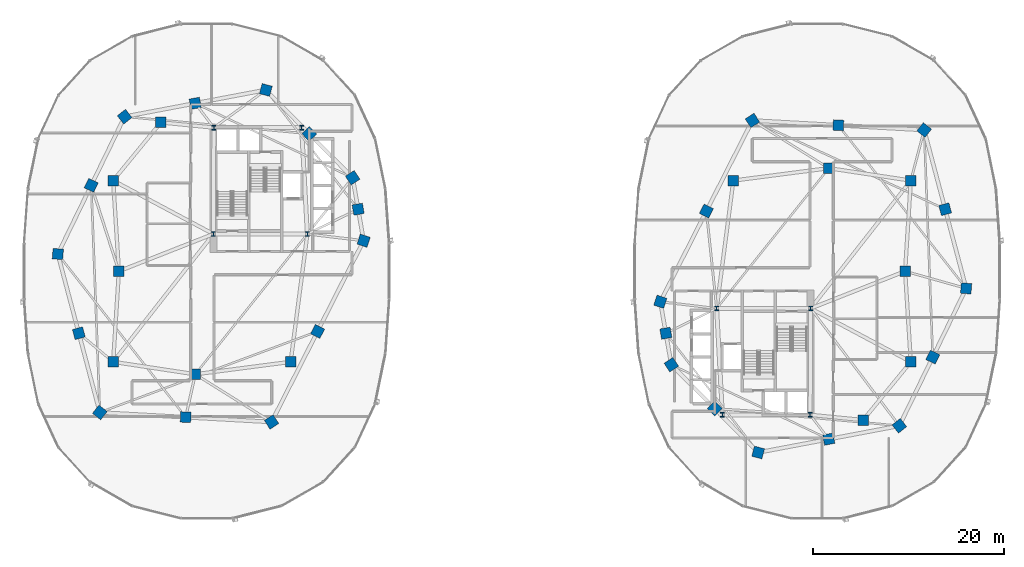
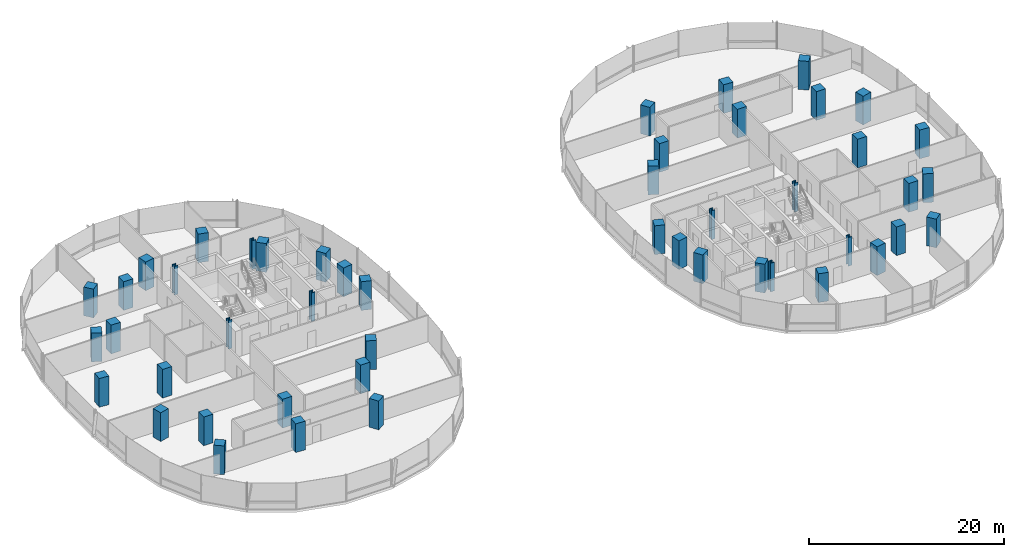
# One storey, part 1 of 21: 48 columns.
"""IFC4 building model written with IfcOpenShell, lengths in metres."""

from ifc_helpers import new_model, si_unit, direction, frame, origin, origin_2d, place, context, subcontext, project, spatial, rectangle, i_section, extrude, material, material_profile, profile_set, type_object, element, save


model = new_model("IFC4")

# Units and contexts
model_context = context("Model", 3, precision=1e-05, world=origin(), true_north=direction((0.0, 1.0)))
body_context = subcontext(model_context, "Body", "Model", "MODEL_VIEW")
ifc_project = project(units=[si_unit("LENGTHUNIT", "METRE"), si_unit("AREAUNIT", "SQUARE_METRE"), si_unit("VOLUMEUNIT", "CUBIC_METRE"), si_unit("PLANEANGLEUNIT", "RADIAN"), si_unit("MASSUNIT", "GRAM", prefix="KILO"), si_unit("THERMODYNAMICTEMPERATUREUNIT", "KELVIN"), si_unit("POWERUNIT", "WATT")], contexts=[model_context])

# Site, building, storey
site_placement = place(None, origin())
site = spatial("IfcSite", under=ifc_project, at=site_placement, CompositionType="ELEMENT")
building_placement = place(site_placement, origin())
building = spatial("IfcBuilding", under=site, at=building_placement, Name="Cundina Bronze Exchange", CompositionType="ELEMENT")
storey_placement = place(building_placement, frame((0.0, 0.0, 121.39990234375)))
storey = spatial("IfcBuildingStorey", under=building, at=storey_placement, Name="L31", CompositionType="ELEMENT", Elevation=121.39990234375)

# Columns
ifc_material_1 = material(Name="Steel ASTM A992 Grade 50", Category="steel")
ifc_material_profile_1 = material_profile(ifc_material_1, i_section(OverallWidth=0.431884765625, OverallDepth=0.498046875, WebThickness=0.0556640625, FlangeThickness=0.0888671875, FilletRadius=0.01806640625, at=origin_2d()), Name="W14X500", Category="steel")
ifc_profile_set_1 = profile_set([ifc_material_profile_1], Name="Steel ASTM A992 Grade 50")
column_type_1 = type_object("IfcColumnType", Name="COL-STL-W14A", PredefinedType="COLUMN", material=ifc_profile_set_1)
for number, where, z_axis, x_axis, name in (
    (1, (-31.300048828125, 3.89990234375, 0.0), (0.0, 0.0, 1.0), (1.0, 0.0, 0.0), "L31 Core Anchor Column W1"),
    (2, (-21.449951171875, 3.89990234375, 0.0), (0.0, 0.0, 1.0), (1.0, 0.0, 0.0), "L31 Core Anchor Column W2"),
    (3, (-22.050048828125, 15.050048828125, 0.0), (0.0, 0.0, 1.0), (1.0, 0.0, 0.0), "L31 Core Anchor Column W3"),
    (4, (-31.25, 15.050048828125, 0.0), (0.0, 0.0, 1.0), (1.0, 0.0, 0.0), "L31 Core Anchor Column W4"),
    (5, (31.300048828125, -3.89990234375, 0.0), (0.0, 0.0, 1.0), (1.0, 0.0, 0.0), "L31 Core Anchor Column E1"),
    (6, (21.449951171875, -3.89990234375, 0.0), (0.0, 0.0, 1.0), (1.0, 0.0, 0.0), "L31 Core Anchor Column E2"),
    (7, (22.050048828125, -15.050048828125, 0.0), (0.0, 0.0, 1.0), (1.0, 0.0, 0.0), "L31 Core Anchor Column E3"),
    (8, (31.25, -15.050048828125, 0.0), (0.0, 0.0, 1.0), (1.0, 0.0, 0.0), "L31 Core Anchor Column E4"),
):
    element("IfcColumn", number, at=place(storey_placement, frame(where, z_axis=z_axis, x_axis=x_axis)), inside=storey, type_object=column_type_1, Name=name, PredefinedType="COLUMN", context=body_context, shape_type="SweptSolid", body=[
        extrude(i_section(OverallWidth=0.431884765625, OverallDepth=0.498046875, WebThickness=0.0556640625, FlangeThickness=0.0888671875, FilletRadius=0.01806640625, at=origin_2d()), origin(), (0.0, 0.0, 1.0), 3.60009765625),
    ])
ifc_material_2 = material(Name="Concrete C60/75", Category="concrete")
ifc_material_profile_2 = material_profile(ifc_material_2, rectangle(XDim=1.10009765625, YDim=1.10009765625, at=origin_2d()), Name="RC1100X1100", Category="concrete")
ifc_profile_set_2 = profile_set([ifc_material_profile_2], Name="Concrete C60/75")
column_type_2 = type_object("IfcColumnType", Name="COL-Z2-1100", PredefinedType="COLUMN", material=ifc_profile_set_2)
for number, where, z_axis, x_axis, name in (
    (9, (-41.199951171875, 0.0, 0.0), (0.0, 0.0, 1.0), (1.0, 0.0, 0.0), "L31 W Inner Ring Column 1"),
    (10, (-41.800048828125, 9.5, 0.0), (0.0, 0.0, 1.0), (1.0, 0.0, 0.0), "L31 W Inner Ring Column 2"),
    (11, (-36.800048828125, 15.60009765625, 0.0), (0.0, 0.0, 1.0), (1.0, 0.0, 0.0), "L31 W Inner Ring Column 3"),
    (12, (-41.800048828125, -9.5, 0.0), (0.0, 0.0, 1.0), (1.0, 0.0, 0.0), "L31 W Inner Ring Column 4"),
    (13, (-33.199951171875, -10.800048828125, 0.0), (0.0, 0.0, 1.0), (1.0, 0.0, 0.0), "L31 W Inner Ring Column 5"),
    (14, (-23.199951171875, -9.5, 0.0), (0.0, 0.0, 1.0), (1.0, 0.0, 0.0), "L31 W Inner Ring Column 6"),
    (15, (41.199951171875, 0.0, 0.0), (0.0, 0.0, 1.0), (1.0, 0.0, 0.0), "L31 E Inner Ring Column 1"),
    (16, (41.800048828125, -9.5, 0.0), (0.0, 0.0, 1.0), (1.0, 0.0, 0.0), "L31 E Inner Ring Column 2"),
    (17, (36.800048828125, -15.60009765625, 0.0), (0.0, 0.0, 1.0), (1.0, 0.0, 0.0), "L31 E Inner Ring Column 3"),
    (18, (41.800048828125, 9.5, 0.0), (0.0, 0.0, 1.0), (1.0, 0.0, 0.0), "L31 E Inner Ring Column 4"),
    (19, (33.199951171875, 10.800048828125, 0.0), (0.0, 0.0, 1.0), (1.0, 0.0, 0.0), "L31 E Inner Ring Column 5"),
    (20, (23.199951171875, 9.5, 0.0), (0.0, 0.0, 1.0), (1.0, 0.0, 0.0), "L31 E Inner Ring Column 6"),
    (21, (-15.550048828125, 3.199951171875, 0.0), (0.0, 0.0, 1.0), (0.315152163383, 0.949041155016, 0.0), "L31 W Perimeter Column 00"),
    (22, (-16.125, 6.5, 0.0), (0.0, 0.0, 1.0), (-0.171585221787, 0.985169280715, 0.0), "L31 W Perimeter Column 01"),
    (23, (-16.699951171875, 9.800048828125, 0.0), (0.0, 0.0, 1.0), (-0.544199833495, 0.838955625301, 0.0), "L31 W Perimeter Column 02"),
    (24, (-21.25, 14.39990234375, 0.0), (0.0, 0.0, 1.0), (-0.703270634186, 0.710922228581, 0.0), "L31 W Perimeter Column 03"),
    (25, (-25.800048828125, 19.0, 0.0), (0.0, 0.0, 1.0), (-0.965970984022, 0.258650455301, 0.0), "L31 W Perimeter Column 04"),
    (26, (-33.199951171875, 17.60009765625, 0.0), (0.0, 0.0, 1.0), (-0.98258037664, -0.185838110843, 0.0), "L31 W Perimeter Column 05"),
    (27, (-40.60009765625, 16.199951171875, 0.0), (0.0, 0.0, 1.0), (-0.785100778485, -0.619368038909, 0.0), "L31 W Perimeter Column 06"),
    (28, (-44.10009765625, 9.0, 0.0), (0.0, 0.0, 1.0), (-0.437115766651, -0.899405251566, 0.0), "L31 W Perimeter Column 07"),
    (29, (-47.60009765625, 1.800048828125, 0.0), (0.0, 0.0, 1.0), (-0.083503921245, -0.996507448611, 0.0), "L31 W Perimeter Column 08"),
    (30, (-45.39990234375, -6.5, 0.0), (0.0, 0.0, 1.0), (0.256289373133, -0.966600102017, 0.0), "L31 W Perimeter Column 09"),
    (31, (-43.199951171875, -14.800048828125, 0.0), (0.0, 0.0, 1.0), (0.786288432137, -0.61785961309, 0.0), "L31 W Perimeter Column 10"),
    (32, (-34.199951171875, -15.300048828125, 0.0), (0.0, 0.0, 1.0), (0.998460188734, -0.055472980025, 0.0), "L31 W Perimeter Column 11"),
    (33, (-25.199951171875, -15.800048828125, 0.0), (0.0, 0.0, 1.0), (0.838099763533, 0.545516989988, 0.0), "L31 W Perimeter Column 12"),
    (34, (-20.375, -6.300048828125, 0.0), (0.0, 0.0, 1.0), (0.452901591366, 0.891560513111, 0.0), "L31 W Perimeter Column 13"),
    (35, (15.550048828125, -3.199951171875, 0.0), (0.0, 0.0, 1.0), (-0.315152163383, -0.949041155016, 0.0), "L31 E Perimeter Column 00"),
    (36, (16.125, -6.5, 0.0), (0.0, 0.0, 1.0), (0.171585221787, -0.985169280715, 0.0), "L31 E Perimeter Column 01"),
    (37, (16.699951171875, -9.800048828125, 0.0), (0.0, 0.0, 1.0), (0.544199833495, -0.838955625301, 0.0), "L31 E Perimeter Column 02"),
    (38, (21.25, -14.39990234375, 0.0), (0.0, 0.0, 1.0), (0.703270634186, -0.710922228581, 0.0), "L31 E Perimeter Column 03"),
    (39, (25.800048828125, -19.0, 0.0), (0.0, 0.0, 1.0), (0.965970984022, -0.258650455301, 0.0), "L31 E Perimeter Column 04"),
    (40, (33.199951171875, -17.60009765625, 0.0), (0.0, 0.0, 1.0), (0.98258037664, 0.185838110843, 0.0), "L31 E Perimeter Column 05"),
    (41, (40.60009765625, -16.199951171875, 0.0), (0.0, 0.0, 1.0), (0.785100778485, 0.619368038909, 0.0), "L31 E Perimeter Column 06"),
    (42, (44.10009765625, -9.0, 0.0), (0.0, 0.0, 1.0), (0.437115766651, 0.899405251566, 0.0), "L31 E Perimeter Column 07"),
    (43, (47.60009765625, -1.800048828125, 0.0), (0.0, 0.0, 1.0), (0.083503921245, 0.996507448611, 0.0), "L31 E Perimeter Column 08"),
    (44, (45.39990234375, 6.5, 0.0), (0.0, 0.0, 1.0), (-0.256289373133, 0.966600102017, 0.0), "L31 E Perimeter Column 09"),
    (45, (43.199951171875, 14.800048828125, 0.0), (0.0, 0.0, 1.0), (-0.786288432137, 0.61785961309, 0.0), "L31 E Perimeter Column 10"),
    (46, (34.199951171875, 15.300048828125, 0.0), (0.0, 0.0, 1.0), (-0.998460188734, 0.055472980025, 0.0), "L31 E Perimeter Column 11"),
    (47, (25.199951171875, 15.800048828125, 0.0), (0.0, 0.0, 1.0), (-0.838099763533, -0.545516989988, 0.0), "L31 E Perimeter Column 12"),
    (48, (20.375, 6.300048828125, 0.0), (0.0, 0.0, 1.0), (-0.452901591366, -0.891560513111, 0.0), "L31 E Perimeter Column 13"),
):
    element("IfcColumn", number, at=place(storey_placement, frame(where, z_axis=z_axis, x_axis=x_axis)), inside=storey, type_object=column_type_2, Name=name, PredefinedType="COLUMN", context=body_context, shape_type="SweptSolid", body=[
        extrude(rectangle(XDim=1.10009765625, YDim=1.10009765625, at=origin_2d()), origin(), (0.0, 0.0, 1.0), 3.60009765625),
    ])

save(model, "model.ifc")
